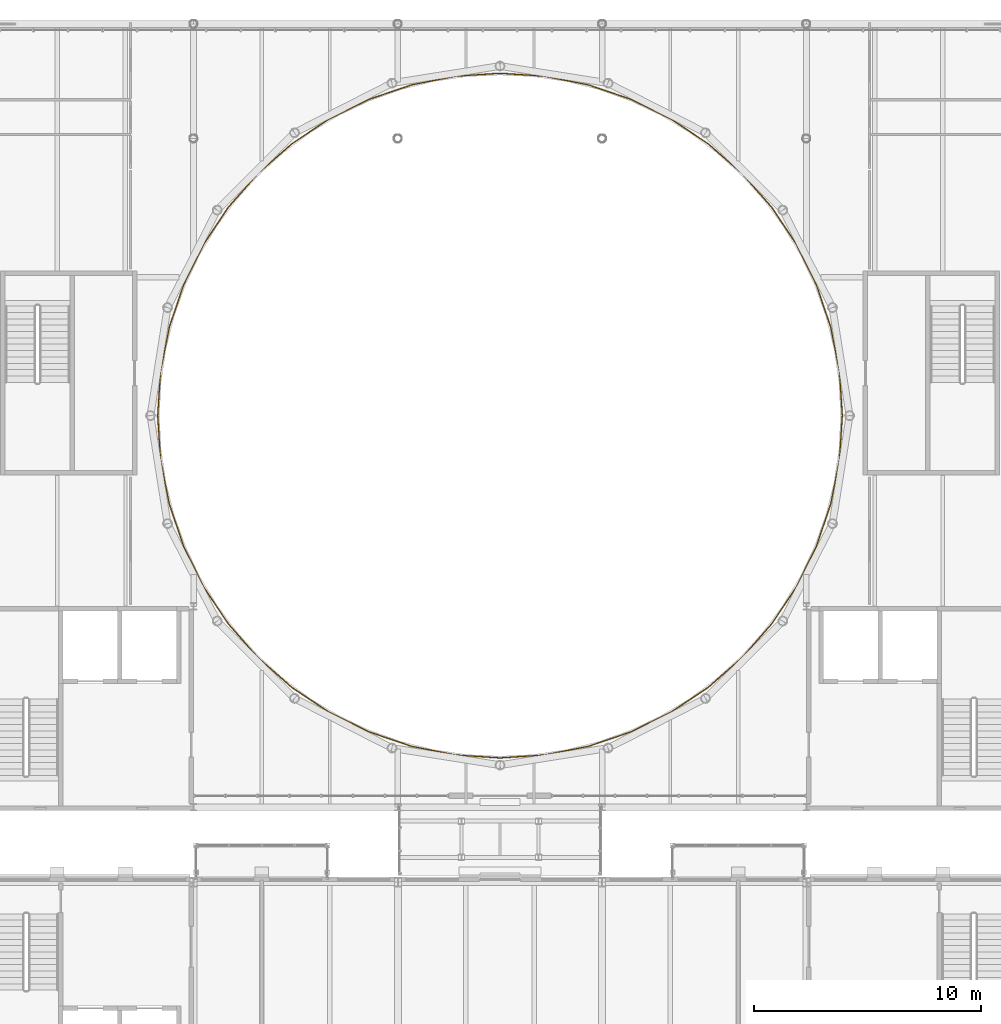
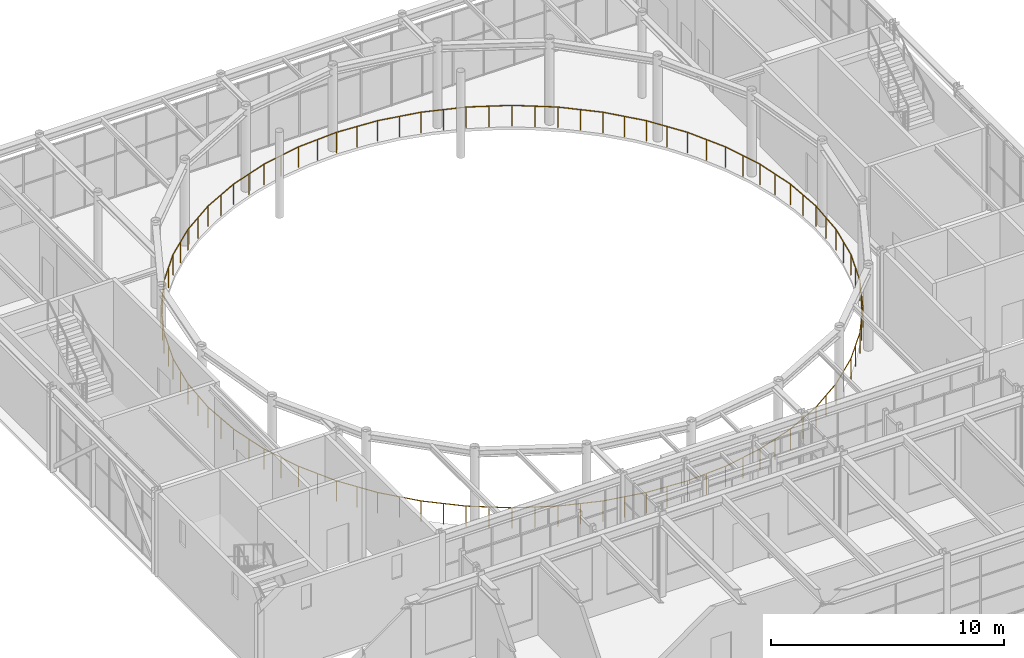
# One storey, part 104 of 111: 1 railing.
"""IFC4 building model written with IfcOpenShell, lengths in metres."""

from ifc_helpers import new_model, si_unit, direction, frame, origin, origin_2d, place, context, subcontext, project, spatial, circle, extrude, material, type_object, element, save


model = new_model("IFC4")

# Units and contexts
model_context = context("Model", 3, precision=1e-05, world=origin(), true_north=direction((0.0, 1.0)))
body_context = subcontext(model_context, "Body", "Model", "MODEL_VIEW")
ifc_project = project(units=[si_unit("LENGTHUNIT", "METRE"), si_unit("AREAUNIT", "SQUARE_METRE"), si_unit("VOLUMEUNIT", "CUBIC_METRE"), si_unit("PLANEANGLEUNIT", "RADIAN"), si_unit("MASSUNIT", "GRAM", prefix="KILO")], contexts=[model_context])

# Site, building, storey
site_placement = place(None, origin())
site = spatial("IfcSite", under=ifc_project, at=site_placement, CompositionType="ELEMENT")
building_placement = place(site_placement, origin())
building = spatial("IfcBuilding", under=site, at=building_placement, Name="Kallimachos Central Library", CompositionType="ELEMENT")
storey_placement = place(building_placement, frame((0.0, 0.0, 14.39990234375)))
storey = spatial("IfcBuildingStorey", under=building, at=storey_placement, Name="L03", CompositionType="ELEMENT", Elevation=14.39990234375)

# Railing
ifc_material = material(Name="Wrought iron")
railing_type = type_object("IfcRailingType", Name="Wrought-iron style guard", PredefinedType="GUARDRAIL", material=ifc_material)
railing_placement = place(storey_placement, frame((103.080078125, 104.39990234375, 0.0)))
element("IfcRailing", 1, at=railing_placement, inside=storey, type_object=railing_type, Name="Gallery guard round the hall", PredefinedType="GUARDRAIL", context=body_context, shape_type="SweptSolid", body=[
    extrude(circle(Radius=0.02392578125, at=origin_2d()), frame((0.0, 0.0, 1.076171875), z_axis=(-0.065467584579, 0.997854696521, 0.0), x_axis=(-0.997854696521, -0.065467584579, 0.0)), (0.0, 0.0, 1.0), 1.97265625),
    extrude(circle(Radius=0.02392578125, at=origin_2d()), frame((-0.129150390625, 1.968505859375, 1.076171875), z_axis=(-0.195068700112, 0.98078958102, 0.0), x_axis=(-0.98078958102, -0.195068700112, 0.0)), (0.0, 0.0, 1.0), 1.972412109375),
    extrude(circle(Radius=0.02392578125, at=origin_2d()), frame((-0.513916015625, 3.903076171875, 1.076171875), z_axis=(-0.321421205461, 0.94693632768, 0.0), x_axis=(-0.94693632768, -0.321421205461, 0.0)), (0.0, 0.0, 1.0), 1.97265625),
    extrude(circle(Radius=0.02392578125, at=origin_2d()), frame((-1.14794921875, 5.77099609375, 1.076171875), z_axis=(-0.442355218257, 0.896839930467, 0.0), x_axis=(-0.896839930467, -0.442355218257, 0.0)), (0.0, 0.0, 1.0), 1.972412109375),
    extrude(circle(Radius=0.02392578125, at=origin_2d()), frame((-2.0205078125, 7.5400390625, 1.076171875), z_axis=(-0.555499713319, 0.831516727735, 0.0), x_axis=(-0.831516727735, -0.555499713319, 0.0)), (0.0, 0.0, 1.0), 1.972412109375),
    extrude(circle(Radius=0.02392578125, at=origin_2d()), frame((-3.1162109375, 9.18017578125, 1.076171875), z_axis=(-0.65937155714, 0.751817231536, 0.0), x_axis=(-0.751817231536, -0.65937155714, 0.0)), (0.0, 0.0, 1.0), 1.97265625),
    extrude(circle(Radius=0.02392578125, at=origin_2d()), frame((-4.4169921875, 10.663330078125, 1.076171875), z_axis=(-0.751824776477, 0.659362954279, 0.0), x_axis=(-0.659362954279, -0.751824776477, 0.0)), (0.0, 0.0, 1.0), 1.972412109375),
    extrude(circle(Radius=0.02392578125, at=origin_2d()), frame((-5.89990234375, 11.9638671875, 1.076171875), z_axis=(-0.831459554942, 0.555585284629, 0.0), x_axis=(-0.555585284629, -0.831459554942, 0.0)), (0.0, 0.0, 1.0), 1.97265625),
    extrude(circle(Radius=0.02392578125, at=origin_2d()), frame((-7.5400390625, 13.059814453125, 1.076171875), z_axis=(-0.896913235572, 0.442206566952, 0.0), x_axis=(-0.442206566952, -0.896913235572, 0.0)), (0.0, 0.0, 1.0), 1.97265625),
    extrude(circle(Radius=0.02392578125, at=origin_2d()), frame((-9.309326171875, 13.93212890625, 1.076171875), z_axis=(-0.946923538933, 0.321458879818, 0.0), x_axis=(-0.321458879818, -0.946923538933, 0.0)), (0.0, 0.0, 1.0), 1.972412109375),
    extrude(circle(Radius=0.02392578125, at=origin_2d()), frame((-11.177001953125, 14.566162109375, 1.076171875), z_axis=(-0.980770608273, 0.195164069306, 0.0), x_axis=(-0.195164069306, -0.980770608273, 0.0)), (0.0, 0.0, 1.0), 1.97265625),
    extrude(circle(Radius=0.02392578125, at=origin_2d()), frame((-13.11181640625, 14.951171875, 1.076171875), z_axis=(-0.997862245153, 0.065352426872, 0.0), x_axis=(-0.065352426872, -0.997862245153, 0.0)), (0.0, 0.0, 1.0), 1.972412109375),
    extrude(circle(Radius=0.02392578125, at=origin_2d()), frame((-15.080078125, 15.080078125, 1.076171875), z_axis=(-0.997862245153, -0.065352426872, 0.0), x_axis=(0.065352426872, -0.997862245153, 0.0)), (0.0, 0.0, 1.0), 1.972412109375),
    extrude(circle(Radius=0.02392578125, at=origin_2d()), frame((-17.04833984375, 14.951171875, 1.076171875), z_axis=(-0.980770608273, -0.195164069306, 0.0), x_axis=(0.195164069306, -0.980770608273, 0.0)), (0.0, 0.0, 1.0), 1.97265625),
    extrude(circle(Radius=0.02392578125, at=origin_2d()), frame((-18.983154296875, 14.566162109375, 1.076171875), z_axis=(-0.946923538933, -0.321458879818, 0.0), x_axis=(0.321458879818, -0.946923538933, 0.0)), (0.0, 0.0, 1.0), 1.972412109375),
    extrude(circle(Radius=0.02392578125, at=origin_2d()), frame((-20.850830078125, 13.93212890625, 1.076171875), z_axis=(-0.896913235572, -0.442206566952, 0.0), x_axis=(0.442206566952, -0.896913235572, 0.0)), (0.0, 0.0, 1.0), 1.97265625),
    extrude(circle(Radius=0.02392578125, at=origin_2d()), frame((-22.6201171875, 13.059814453125, 1.076171875), z_axis=(-0.831459554942, -0.555585284629, 0.0), x_axis=(0.555585284629, -0.831459554942, 0.0)), (0.0, 0.0, 1.0), 1.97265625),
    extrude(circle(Radius=0.02392578125, at=origin_2d()), frame((-24.26025390625, 11.9638671875, 1.076171875), z_axis=(-0.751824776477, -0.659362954279, 0.0), x_axis=(0.659362954279, -0.751824776477, 0.0)), (0.0, 0.0, 1.0), 1.972412109375),
    extrude(circle(Radius=0.02392578125, at=origin_2d()), frame((-25.7431640625, 10.663330078125, 1.076171875), z_axis=(-0.65937155714, -0.751817231536, 0.0), x_axis=(0.751817231536, -0.65937155714, 0.0)), (0.0, 0.0, 1.0), 1.97265625),
    extrude(circle(Radius=0.02392578125, at=origin_2d()), frame((-27.0439453125, 9.18017578125, 1.076171875), z_axis=(-0.555499713319, -0.831516727735, 0.0), x_axis=(0.831516727735, -0.555499713319, 0.0)), (0.0, 0.0, 1.0), 1.972412109375),
    extrude(circle(Radius=0.02392578125, at=origin_2d()), frame((-28.1396484375, 7.5400390625, 1.076171875), z_axis=(-0.442355218257, -0.896839930467, 0.0), x_axis=(0.896839930467, -0.442355218257, 0.0)), (0.0, 0.0, 1.0), 1.972412109375),
    extrude(circle(Radius=0.02392578125, at=origin_2d()), frame((-29.01220703125, 5.77099609375, 1.076171875), z_axis=(-0.321421205461, -0.94693632768, 0.0), x_axis=(0.94693632768, -0.321421205461, 0.0)), (0.0, 0.0, 1.0), 1.97265625),
    extrude(circle(Radius=0.02392578125, at=origin_2d()), frame((-29.646240234375, 3.903076171875, 1.076171875), z_axis=(-0.195068700112, -0.98078958102, 0.0), x_axis=(0.98078958102, -0.195068700112, 0.0)), (0.0, 0.0, 1.0), 1.972412109375),
    extrude(circle(Radius=0.02392578125, at=origin_2d()), frame((-30.031005859375, 1.968505859375, 1.076171875), z_axis=(-0.065467584579, -0.997854696521, 0.0), x_axis=(0.997854696521, -0.065467584579, 0.0)), (0.0, 0.0, 1.0), 1.97265625),
    extrude(circle(Radius=0.02392578125, at=origin_2d()), frame((-30.16015625, 0.0, 1.076171875), z_axis=(0.065475670282, -0.997854165999, 0.0), x_axis=(0.997854165999, 0.065475670282, 0.0)), (0.0, 0.0, 1.0), 1.972412109375),
    extrude(circle(Radius=0.02392578125, at=origin_2d()), frame((-30.031005859375, -1.96826171875, 1.076171875), z_axis=(0.195068700112, -0.98078958102, 0.0), x_axis=(0.98078958102, 0.195068700112, 0.0)), (0.0, 0.0, 1.0), 1.972412109375),
    extrude(circle(Radius=0.02392578125, at=origin_2d()), frame((-29.646240234375, -3.90283203125, 1.076171875), z_axis=(0.321421205461, -0.94693632768, 0.0), x_axis=(0.94693632768, 0.321421205461, 0.0)), (0.0, 0.0, 1.0), 1.97265625),
    extrude(circle(Radius=0.02392578125, at=origin_2d()), frame((-29.01220703125, -5.770751953125, 1.076171875), z_axis=(0.442355218257, -0.896839930467, 0.0), x_axis=(0.896839930467, 0.442355218257, 0.0)), (0.0, 0.0, 1.0), 1.972412109375),
    extrude(circle(Radius=0.02392578125, at=origin_2d()), frame((-28.1396484375, -7.539794921875, 1.076171875), z_axis=(0.555499713319, -0.831516727735, 0.0), x_axis=(0.831516727735, 0.555499713319, 0.0)), (0.0, 0.0, 1.0), 1.972412109375),
    extrude(circle(Radius=0.02392578125, at=origin_2d()), frame((-27.0439453125, -9.179931640625, 1.076171875), z_axis=(0.65937155714, -0.751817231536, 0.0), x_axis=(0.751817231536, 0.65937155714, 0.0)), (0.0, 0.0, 1.0), 1.97265625),
    extrude(circle(Radius=0.02392578125, at=origin_2d()), frame((-25.7431640625, -10.6630859375, 1.076171875), z_axis=(0.751824776477, -0.659362954279, 0.0), x_axis=(0.659362954279, 0.751824776477, 0.0)), (0.0, 0.0, 1.0), 1.972412109375),
    extrude(circle(Radius=0.02392578125, at=origin_2d()), frame((-24.26025390625, -11.963623046875, 1.076171875), z_axis=(0.831459554942, -0.555585284629, 0.0), x_axis=(0.555585284629, 0.831459554942, 0.0)), (0.0, 0.0, 1.0), 1.97265625),
    extrude(circle(Radius=0.02392578125, at=origin_2d()), frame((-22.6201171875, -13.0595703125, 1.076171875), z_axis=(0.896913235572, -0.442206566952, 0.0), x_axis=(0.442206566952, 0.896913235572, 0.0)), (0.0, 0.0, 1.0), 1.97265625),
    extrude(circle(Radius=0.02392578125, at=origin_2d()), frame((-20.850830078125, -13.931884765625, 1.076171875), z_axis=(0.94688585541, -0.321569863053, 0.0), x_axis=(0.321569863053, 0.94688585541, 0.0)), (0.0, 0.0, 1.0), 1.972412109375),
    extrude(circle(Radius=0.02392578125, at=origin_2d()), frame((-18.983154296875, -14.566162109375, 1.076171875), z_axis=(0.980794290006, -0.195045022215, 0.0), x_axis=(0.195045022215, 0.980794290006, 0.0)), (0.0, 0.0, 1.0), 1.97265625),
    extrude(circle(Radius=0.02392578125, at=origin_2d()), frame((-17.04833984375, -14.950927734375, 1.076171875), z_axis=(0.997862245153, -0.065352426872, 0.0), x_axis=(0.065352426872, 0.997862245153, 0.0)), (0.0, 0.0, 1.0), 1.972412109375),
    extrude(circle(Radius=0.02392578125, at=origin_2d()), frame((-15.080078125, -15.079833984375, 1.076171875), z_axis=(0.997862245153, 0.065352426872, 0.0), x_axis=(-0.065352426872, 0.997862245153, 0.0)), (0.0, 0.0, 1.0), 1.972412109375),
    extrude(circle(Radius=0.02392578125, at=origin_2d()), frame((-13.11181640625, -14.950927734375, 1.076171875), z_axis=(0.980794290006, 0.195045022215, 0.0), x_axis=(-0.195045022215, 0.980794290006, 0.0)), (0.0, 0.0, 1.0), 1.97265625),
    extrude(circle(Radius=0.02392578125, at=origin_2d()), frame((-11.177001953125, -14.566162109375, 1.076171875), z_axis=(0.94688585541, 0.321569863053, 0.0), x_axis=(-0.321569863053, 0.94688585541, 0.0)), (0.0, 0.0, 1.0), 1.972412109375),
    extrude(circle(Radius=0.02392578125, at=origin_2d()), frame((-9.309326171875, -13.931884765625, 1.076171875), z_axis=(0.896913235572, 0.442206566952, 0.0), x_axis=(-0.442206566952, 0.896913235572, 0.0)), (0.0, 0.0, 1.0), 1.97265625),
    extrude(circle(Radius=0.02392578125, at=origin_2d()), frame((-7.5400390625, -13.0595703125, 1.076171875), z_axis=(0.831459554942, 0.555585284629, 0.0), x_axis=(-0.555585284629, 0.831459554942, 0.0)), (0.0, 0.0, 1.0), 1.97265625),
    extrude(circle(Radius=0.02392578125, at=origin_2d()), frame((-5.89990234375, -11.963623046875, 1.076171875), z_axis=(0.751824776477, 0.659362954279, 0.0), x_axis=(-0.659362954279, 0.751824776477, 0.0)), (0.0, 0.0, 1.0), 1.972412109375),
    extrude(circle(Radius=0.02392578125, at=origin_2d()), frame((-4.4169921875, -10.6630859375, 1.076171875), z_axis=(0.65937155714, 0.751817231536, 0.0), x_axis=(-0.751817231536, 0.65937155714, 0.0)), (0.0, 0.0, 1.0), 1.97265625),
    extrude(circle(Radius=0.02392578125, at=origin_2d()), frame((-3.1162109375, -9.179931640625, 1.076171875), z_axis=(0.555499713319, 0.831516727735, 0.0), x_axis=(-0.831516727735, 0.555499713319, 0.0)), (0.0, 0.0, 1.0), 1.972412109375),
    extrude(circle(Radius=0.02392578125, at=origin_2d()), frame((-2.0205078125, -7.539794921875, 1.076171875), z_axis=(0.442355218257, 0.896839930467, 0.0), x_axis=(-0.896839930467, 0.442355218257, 0.0)), (0.0, 0.0, 1.0), 1.972412109375),
    extrude(circle(Radius=0.02392578125, at=origin_2d()), frame((-1.14794921875, -5.770751953125, 1.076171875), z_axis=(0.321421205461, 0.94693632768, 0.0), x_axis=(-0.94693632768, 0.321421205461, 0.0)), (0.0, 0.0, 1.0), 1.97265625),
    extrude(circle(Radius=0.02392578125, at=origin_2d()), frame((-0.513916015625, -3.90283203125, 1.076171875), z_axis=(0.195068700112, 0.98078958102, 0.0), x_axis=(-0.98078958102, 0.195068700112, 0.0)), (0.0, 0.0, 1.0), 1.972412109375),
    extrude(circle(Radius=0.02392578125, at=origin_2d()), frame((-0.129150390625, -1.96826171875, 1.076171875), z_axis=(0.065475670282, 0.997854165999, 0.0), x_axis=(-0.997854165999, 0.065475670282, 0.0)), (0.0, 0.0, 1.0), 1.972412109375),
    extrude(circle(Radius=0.02099609375, at=origin_2d()), origin(), (0.0, 0.0, 1.0), 1.052001953125),
    extrude(circle(Radius=0.02099609375, at=origin_2d()), frame((-0.064453125, 0.984375, 0.0)), (0.0, 0.0, 1.0), 1.052001953125),
    extrude(circle(Radius=0.02099609375, at=origin_2d()), frame((-0.129150390625, 1.968505859375, 0.0)), (0.0, 0.0, 1.0), 1.052001953125),
    extrude(circle(Radius=0.02099609375, at=origin_2d()), frame((-0.321533203125, 2.935791015625, 0.0)), (0.0, 0.0, 1.0), 1.052001953125),
    extrude(circle(Radius=0.02099609375, at=origin_2d()), frame((-0.513916015625, 3.903076171875, 0.0)), (0.0, 0.0, 1.0), 1.052001953125),
    extrude(circle(Radius=0.02099609375, at=origin_2d()), frame((-0.8310546875, 4.8369140625, 0.0)), (0.0, 0.0, 1.0), 1.052001953125),
    extrude(circle(Radius=0.02099609375, at=origin_2d()), frame((-1.14794921875, 5.77099609375, 0.0)), (0.0, 0.0, 1.0), 1.052001953125),
    extrude(circle(Radius=0.02099609375, at=origin_2d()), frame((-1.584228515625, 6.655517578125, 0.0)), (0.0, 0.0, 1.0), 1.052001953125),
    extrude(circle(Radius=0.02099609375, at=origin_2d()), frame((-2.0205078125, 7.5400390625, 0.0)), (0.0, 0.0, 1.0), 1.052001953125),
    extrude(circle(Radius=0.02099609375, at=origin_2d()), frame((-2.568359375, 8.360107421875, 0.0)), (0.0, 0.0, 1.0), 1.052001953125),
    extrude(circle(Radius=0.02099609375, at=origin_2d()), frame((-3.1162109375, 9.18017578125, 0.0)), (0.0, 0.0, 1.0), 1.052001953125),
    extrude(circle(Radius=0.02099609375, at=origin_2d()), frame((-3.7666015625, 9.921875, 0.0)), (0.0, 0.0, 1.0), 1.052001953125),
    extrude(circle(Radius=0.02099609375, at=origin_2d()), frame((-4.4169921875, 10.663330078125, 0.0)), (0.0, 0.0, 1.0), 1.052001953125),
    extrude(circle(Radius=0.02099609375, at=origin_2d()), frame((-5.158447265625, 11.3134765625, 0.0)), (0.0, 0.0, 1.0), 1.052001953125),
    extrude(circle(Radius=0.02099609375, at=origin_2d()), frame((-5.89990234375, 11.9638671875, 0.0)), (0.0, 0.0, 1.0), 1.052001953125),
    extrude(circle(Radius=0.02099609375, at=origin_2d()), frame((-6.719970703125, 12.51171875, 0.0)), (0.0, 0.0, 1.0), 1.052001953125),
    extrude(circle(Radius=0.02099609375, at=origin_2d()), frame((-7.5400390625, 13.059814453125, 0.0)), (0.0, 0.0, 1.0), 1.052001953125),
    extrude(circle(Radius=0.02099609375, at=origin_2d()), frame((-8.4248046875, 13.49609375, 0.0)), (0.0, 0.0, 1.0), 1.052001953125),
    extrude(circle(Radius=0.02099609375, at=origin_2d()), frame((-9.309326171875, 13.93212890625, 0.0)), (0.0, 0.0, 1.0), 1.052001953125),
    extrude(circle(Radius=0.02099609375, at=origin_2d()), frame((-10.2431640625, 14.2490234375, 0.0)), (0.0, 0.0, 1.0), 1.052001953125),
    extrude(circle(Radius=0.02099609375, at=origin_2d()), frame((-11.177001953125, 14.566162109375, 0.0)), (0.0, 0.0, 1.0), 1.052001953125),
    extrude(circle(Radius=0.02099609375, at=origin_2d()), frame((-12.14453125, 14.7587890625, 0.0)), (0.0, 0.0, 1.0), 1.052001953125),
    extrude(circle(Radius=0.02099609375, at=origin_2d()), frame((-13.11181640625, 14.951171875, 0.0)), (0.0, 0.0, 1.0), 1.052001953125),
    extrude(circle(Radius=0.02099609375, at=origin_2d()), frame((-14.095947265625, 15.015625, 0.0)), (0.0, 0.0, 1.0), 1.052001953125),
    extrude(circle(Radius=0.02099609375, at=origin_2d()), frame((-15.080078125, 15.080078125, 0.0)), (0.0, 0.0, 1.0), 1.052001953125),
    extrude(circle(Radius=0.02099609375, at=origin_2d()), frame((-16.064208984375, 15.015625, 0.0)), (0.0, 0.0, 1.0), 1.052001953125),
    extrude(circle(Radius=0.02099609375, at=origin_2d()), frame((-17.04833984375, 14.951171875, 0.0)), (0.0, 0.0, 1.0), 1.052001953125),
    extrude(circle(Radius=0.02099609375, at=origin_2d()), frame((-18.015625, 14.7587890625, 0.0)), (0.0, 0.0, 1.0), 1.052001953125),
    extrude(circle(Radius=0.02099609375, at=origin_2d()), frame((-18.983154296875, 14.566162109375, 0.0)), (0.0, 0.0, 1.0), 1.052001953125),
    extrude(circle(Radius=0.02099609375, at=origin_2d()), frame((-19.9169921875, 14.2490234375, 0.0)), (0.0, 0.0, 1.0), 1.052001953125),
    extrude(circle(Radius=0.02099609375, at=origin_2d()), frame((-20.850830078125, 13.93212890625, 0.0)), (0.0, 0.0, 1.0), 1.052001953125),
    extrude(circle(Radius=0.02099609375, at=origin_2d()), frame((-21.7353515625, 13.49609375, 0.0)), (0.0, 0.0, 1.0), 1.052001953125),
    extrude(circle(Radius=0.02099609375, at=origin_2d()), frame((-22.6201171875, 13.059814453125, 0.0)), (0.0, 0.0, 1.0), 1.052001953125),
    extrude(circle(Radius=0.02099609375, at=origin_2d()), frame((-23.440185546875, 12.51171875, 0.0)), (0.0, 0.0, 1.0), 1.052001953125),
    extrude(circle(Radius=0.02099609375, at=origin_2d()), frame((-24.26025390625, 11.9638671875, 0.0)), (0.0, 0.0, 1.0), 1.052001953125),
    extrude(circle(Radius=0.02099609375, at=origin_2d()), frame((-25.001708984375, 11.3134765625, 0.0)), (0.0, 0.0, 1.0), 1.052001953125),
    extrude(circle(Radius=0.02099609375, at=origin_2d()), frame((-25.7431640625, 10.663330078125, 0.0)), (0.0, 0.0, 1.0), 1.052001953125),
    extrude(circle(Radius=0.02099609375, at=origin_2d()), frame((-26.3935546875, 9.921875, 0.0)), (0.0, 0.0, 1.0), 1.052001953125),
    extrude(circle(Radius=0.02099609375, at=origin_2d()), frame((-27.0439453125, 9.18017578125, 0.0)), (0.0, 0.0, 1.0), 1.052001953125),
    extrude(circle(Radius=0.02099609375, at=origin_2d()), frame((-27.591796875, 8.360107421875, 0.0)), (0.0, 0.0, 1.0), 1.052001953125),
    extrude(circle(Radius=0.02099609375, at=origin_2d()), frame((-28.1396484375, 7.5400390625, 0.0)), (0.0, 0.0, 1.0), 1.052001953125),
    extrude(circle(Radius=0.02099609375, at=origin_2d()), frame((-28.575927734375, 6.655517578125, 0.0)), (0.0, 0.0, 1.0), 1.052001953125),
    extrude(circle(Radius=0.02099609375, at=origin_2d()), frame((-29.01220703125, 5.77099609375, 0.0)), (0.0, 0.0, 1.0), 1.052001953125),
    extrude(circle(Radius=0.02099609375, at=origin_2d()), frame((-29.3291015625, 4.8369140625, 0.0)), (0.0, 0.0, 1.0), 1.052001953125),
    extrude(circle(Radius=0.02099609375, at=origin_2d()), frame((-29.646240234375, 3.903076171875, 0.0)), (0.0, 0.0, 1.0), 1.052001953125),
    extrude(circle(Radius=0.02099609375, at=origin_2d()), frame((-29.838623046875, 2.935791015625, 0.0)), (0.0, 0.0, 1.0), 1.052001953125),
    extrude(circle(Radius=0.02099609375, at=origin_2d()), frame((-30.031005859375, 1.968505859375, 0.0)), (0.0, 0.0, 1.0), 1.052001953125),
    extrude(circle(Radius=0.02099609375, at=origin_2d()), frame((-30.095703125, 0.984375, 0.0)), (0.0, 0.0, 1.0), 1.052001953125),
    extrude(circle(Radius=0.02099609375, at=origin_2d()), frame((-30.16015625, 0.0, 0.0)), (0.0, 0.0, 1.0), 1.052001953125),
    extrude(circle(Radius=0.02099609375, at=origin_2d()), frame((-30.095703125, -0.984130859375, 0.0)), (0.0, 0.0, 1.0), 1.052001953125),
    extrude(circle(Radius=0.02099609375, at=origin_2d()), frame((-30.031005859375, -1.96826171875, 0.0)), (0.0, 0.0, 1.0), 1.052001953125),
    extrude(circle(Radius=0.02099609375, at=origin_2d()), frame((-29.838623046875, -2.935546875, 0.0)), (0.0, 0.0, 1.0), 1.052001953125),
    extrude(circle(Radius=0.02099609375, at=origin_2d()), frame((-29.646240234375, -3.90283203125, 0.0)), (0.0, 0.0, 1.0), 1.052001953125),
    extrude(circle(Radius=0.02099609375, at=origin_2d()), frame((-29.3291015625, -4.8369140625, 0.0)), (0.0, 0.0, 1.0), 1.052001953125),
    extrude(circle(Radius=0.02099609375, at=origin_2d()), frame((-29.01220703125, -5.770751953125, 0.0)), (0.0, 0.0, 1.0), 1.052001953125),
    extrude(circle(Radius=0.02099609375, at=origin_2d()), frame((-28.575927734375, -6.6552734375, 0.0)), (0.0, 0.0, 1.0), 1.052001953125),
    extrude(circle(Radius=0.02099609375, at=origin_2d()), frame((-28.1396484375, -7.539794921875, 0.0)), (0.0, 0.0, 1.0), 1.052001953125),
    extrude(circle(Radius=0.02099609375, at=origin_2d()), frame((-27.591796875, -8.35986328125, 0.0)), (0.0, 0.0, 1.0), 1.052001953125),
    extrude(circle(Radius=0.02099609375, at=origin_2d()), frame((-27.0439453125, -9.179931640625, 0.0)), (0.0, 0.0, 1.0), 1.052001953125),
    extrude(circle(Radius=0.02099609375, at=origin_2d()), frame((-26.3935546875, -9.92138671875, 0.0)), (0.0, 0.0, 1.0), 1.052001953125),
    extrude(circle(Radius=0.02099609375, at=origin_2d()), frame((-25.7431640625, -10.6630859375, 0.0)), (0.0, 0.0, 1.0), 1.052001953125),
    extrude(circle(Radius=0.02099609375, at=origin_2d()), frame((-25.001708984375, -11.3134765625, 0.0)), (0.0, 0.0, 1.0), 1.052001953125),
    extrude(circle(Radius=0.02099609375, at=origin_2d()), frame((-24.26025390625, -11.963623046875, 0.0)), (0.0, 0.0, 1.0), 1.052001953125),
    extrude(circle(Radius=0.02099609375, at=origin_2d()), frame((-23.440185546875, -12.51171875, 0.0)), (0.0, 0.0, 1.0), 1.052001953125),
    extrude(circle(Radius=0.02099609375, at=origin_2d()), frame((-22.6201171875, -13.0595703125, 0.0)), (0.0, 0.0, 1.0), 1.052001953125),
    extrude(circle(Radius=0.02099609375, at=origin_2d()), frame((-21.7353515625, -13.49560546875, 0.0)), (0.0, 0.0, 1.0), 1.052001953125),
    extrude(circle(Radius=0.02099609375, at=origin_2d()), frame((-20.850830078125, -13.931884765625, 0.0)), (0.0, 0.0, 1.0), 1.052001953125),
    extrude(circle(Radius=0.02099609375, at=origin_2d()), frame((-19.9169921875, -14.2490234375, 0.0)), (0.0, 0.0, 1.0), 1.052001953125),
    extrude(circle(Radius=0.02099609375, at=origin_2d()), frame((-18.983154296875, -14.566162109375, 0.0)), (0.0, 0.0, 1.0), 1.052001953125),
    extrude(circle(Radius=0.02099609375, at=origin_2d()), frame((-18.015625, -14.758544921875, 0.0)), (0.0, 0.0, 1.0), 1.052001953125),
    extrude(circle(Radius=0.02099609375, at=origin_2d()), frame((-17.04833984375, -14.950927734375, 0.0)), (0.0, 0.0, 1.0), 1.052001953125),
    extrude(circle(Radius=0.02099609375, at=origin_2d()), frame((-16.064208984375, -15.015380859375, 0.0)), (0.0, 0.0, 1.0), 1.052001953125),
    extrude(circle(Radius=0.02099609375, at=origin_2d()), frame((-15.080078125, -15.079833984375, 0.0)), (0.0, 0.0, 1.0), 1.052001953125),
    extrude(circle(Radius=0.02099609375, at=origin_2d()), frame((-14.095947265625, -15.015380859375, 0.0)), (0.0, 0.0, 1.0), 1.052001953125),
    extrude(circle(Radius=0.02099609375, at=origin_2d()), frame((-13.11181640625, -14.950927734375, 0.0)), (0.0, 0.0, 1.0), 1.052001953125),
    extrude(circle(Radius=0.02099609375, at=origin_2d()), frame((-12.14453125, -14.758544921875, 0.0)), (0.0, 0.0, 1.0), 1.052001953125),
    extrude(circle(Radius=0.02099609375, at=origin_2d()), frame((-11.177001953125, -14.566162109375, 0.0)), (0.0, 0.0, 1.0), 1.052001953125),
    extrude(circle(Radius=0.02099609375, at=origin_2d()), frame((-10.2431640625, -14.2490234375, 0.0)), (0.0, 0.0, 1.0), 1.052001953125),
    extrude(circle(Radius=0.02099609375, at=origin_2d()), frame((-9.309326171875, -13.931884765625, 0.0)), (0.0, 0.0, 1.0), 1.052001953125),
    extrude(circle(Radius=0.02099609375, at=origin_2d()), frame((-8.4248046875, -13.49560546875, 0.0)), (0.0, 0.0, 1.0), 1.052001953125),
    extrude(circle(Radius=0.02099609375, at=origin_2d()), frame((-7.5400390625, -13.0595703125, 0.0)), (0.0, 0.0, 1.0), 1.052001953125),
    extrude(circle(Radius=0.02099609375, at=origin_2d()), frame((-6.719970703125, -12.51171875, 0.0)), (0.0, 0.0, 1.0), 1.052001953125),
    extrude(circle(Radius=0.02099609375, at=origin_2d()), frame((-5.89990234375, -11.963623046875, 0.0)), (0.0, 0.0, 1.0), 1.052001953125),
    extrude(circle(Radius=0.02099609375, at=origin_2d()), frame((-5.158447265625, -11.3134765625, 0.0)), (0.0, 0.0, 1.0), 1.052001953125),
    extrude(circle(Radius=0.02099609375, at=origin_2d()), frame((-4.4169921875, -10.6630859375, 0.0)), (0.0, 0.0, 1.0), 1.052001953125),
    extrude(circle(Radius=0.02099609375, at=origin_2d()), frame((-3.7666015625, -9.92138671875, 0.0)), (0.0, 0.0, 1.0), 1.052001953125),
    extrude(circle(Radius=0.02099609375, at=origin_2d()), frame((-3.1162109375, -9.179931640625, 0.0)), (0.0, 0.0, 1.0), 1.052001953125),
    extrude(circle(Radius=0.02099609375, at=origin_2d()), frame((-2.568359375, -8.35986328125, 0.0)), (0.0, 0.0, 1.0), 1.052001953125),
    extrude(circle(Radius=0.02099609375, at=origin_2d()), frame((-2.0205078125, -7.539794921875, 0.0)), (0.0, 0.0, 1.0), 1.052001953125),
    extrude(circle(Radius=0.02099609375, at=origin_2d()), frame((-1.584228515625, -6.6552734375, 0.0)), (0.0, 0.0, 1.0), 1.052001953125),
    extrude(circle(Radius=0.02099609375, at=origin_2d()), frame((-1.14794921875, -5.770751953125, 0.0)), (0.0, 0.0, 1.0), 1.052001953125),
    extrude(circle(Radius=0.02099609375, at=origin_2d()), frame((-0.8310546875, -4.8369140625, 0.0)), (0.0, 0.0, 1.0), 1.052001953125),
    extrude(circle(Radius=0.02099609375, at=origin_2d()), frame((-0.513916015625, -3.90283203125, 0.0)), (0.0, 0.0, 1.0), 1.052001953125),
    extrude(circle(Radius=0.02099609375, at=origin_2d()), frame((-0.321533203125, -2.935546875, 0.0)), (0.0, 0.0, 1.0), 1.052001953125),
    extrude(circle(Radius=0.02099609375, at=origin_2d()), frame((-0.129150390625, -1.96826171875, 0.0)), (0.0, 0.0, 1.0), 1.052001953125),
    extrude(circle(Radius=0.02099609375, at=origin_2d()), frame((-0.064453125, -0.984130859375, 0.0)), (0.0, 0.0, 1.0), 1.052001953125),
])

save(model, "model.ifc")
